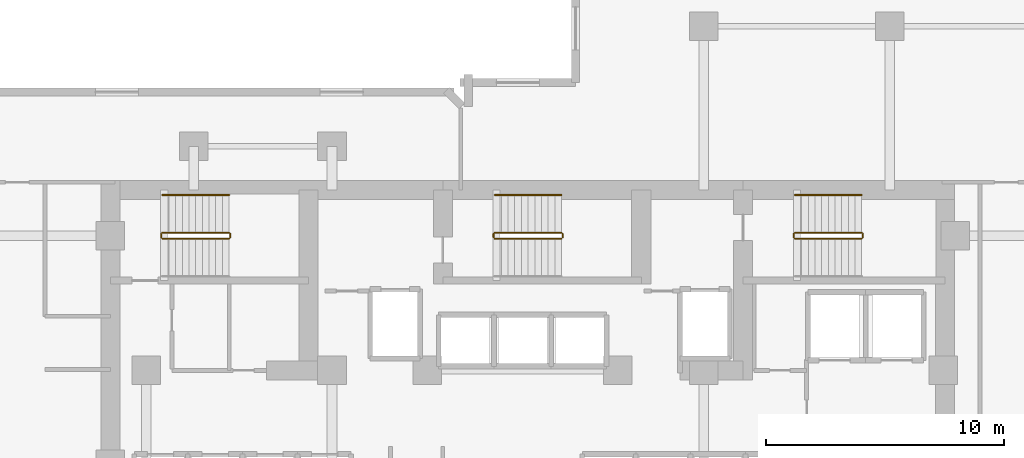
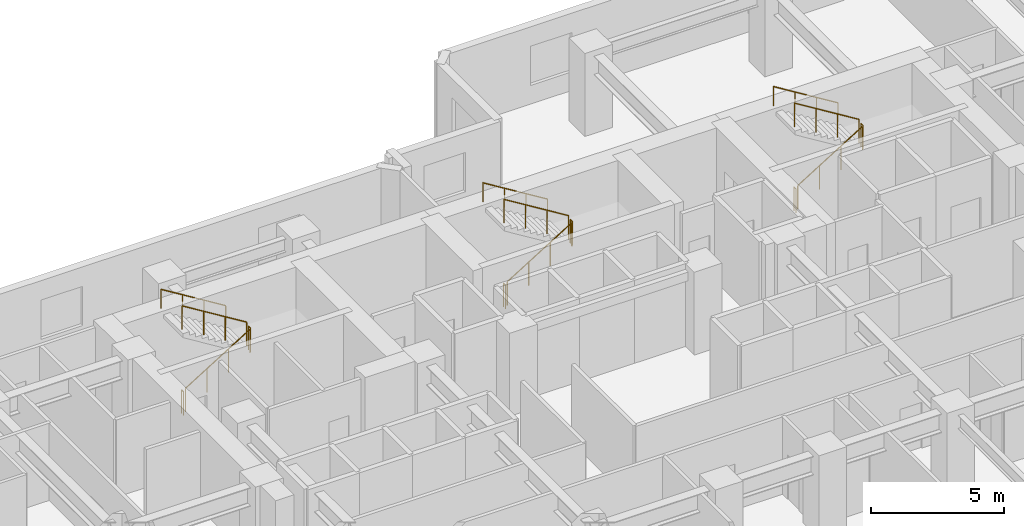
# One storey, part 11 of 11: 15 railings.
"""IFC4 building model written with IfcOpenShell, lengths in metres."""

from ifc_helpers import new_model, si_unit, direction, frame, origin, origin_2d, place, context, subcontext, project, spatial, circle, extrude, material, type_object, element, save


model = new_model("IFC4")

# Units and contexts
model_context = context("Model", 3, precision=1e-05, world=origin(), true_north=direction((0.0, 1.0)))
body_context = subcontext(model_context, "Body", "Model", "MODEL_VIEW")
ifc_project = project(units=[si_unit("LENGTHUNIT", "METRE"), si_unit("AREAUNIT", "SQUARE_METRE"), si_unit("VOLUMEUNIT", "CUBIC_METRE"), si_unit("PLANEANGLEUNIT", "RADIAN"), si_unit("MASSUNIT", "GRAM", prefix="KILO")], contexts=[model_context])

# Site, building, storey
site_placement = place(None, origin())
site = spatial("IfcSite", under=ifc_project, at=site_placement, CompositionType="ELEMENT")
building_placement = place(site_placement, origin())
building = spatial("IfcBuilding", under=site, at=building_placement, Name="Kestravale Grand Hotel", CompositionType="ELEMENT")
storey_placement = place(building_placement, frame((0.0, 0.0, 84.199951171875)))
storey = spatial("IfcBuildingStorey", under=building, at=storey_placement, Name="L20", CompositionType="ELEMENT", Elevation=84.199951171875)

# Railings
ifc_material_1 = material(Name="Painted tubular steel stair well guard", Category="steel")
railing_type_1 = type_object("IfcRailingType", Name="RL-ST-GRD1100", PredefinedType="GUARDRAIL", material=ifc_material_1)
railing_1_placement = place(storey_placement, frame((24.080078125, 38.280029296875, 0.1728515625)))
element("IfcRailing", 1, at=railing_1_placement, inside=storey, type_object=railing_type_1, Name="L20 ST-1 stair guard 1", PredefinedType="GUARDRAIL", context=body_context, shape_type="SweptSolid", body=[
    extrude(circle(Radius=0.02392578125, at=origin_2d()), frame((0.0, 0.0, 1.076171875), z_axis=(0.851069175582, 0.0, 0.525053576669), x_axis=(0.0, 1.0, 0.0)), (0.0, 0.0, 1.0), 3.289794921875),
    extrude(circle(Radius=0.02099609375, at=origin_2d()), origin(), (0.0, 0.0, 1.0), 1.052001953125),
    extrude(circle(Radius=0.02099609375, at=origin_2d()), frame((0.933349609375, 0.0, 0.57568359375)), (0.0, 0.0, 1.0), 1.052001953125),
    extrude(circle(Radius=0.02099609375, at=origin_2d()), frame((1.866455078125, 0.0, 1.151611328125)), (0.0, 0.0, 1.0), 1.052001953125),
    extrude(circle(Radius=0.02099609375, at=origin_2d()), frame((2.7998046875, 0.0, 1.727294921875)), (0.0, 0.0, 1.0), 1.052001953125),
])
railing_2_placement = place(storey_placement, frame((26.929931640625, 38.330078125, 1.900146484375)))
element("IfcRailing", 2, at=railing_2_placement, inside=storey, type_object=railing_type_1, Name="L20 ST-1 stair guard 2", PredefinedType="GUARDRAIL", context=body_context, shape_type="SweptSolid", body=[
    extrude(circle(Radius=0.02392578125, at=origin_2d()), frame((0.0, 0.0, 1.076171875), z_axis=(0.0, 1.0, 0.0), x_axis=(-1.0, 0.0, 0.0)), (0.0, 0.0, 1.0), 0.14990234375),
    extrude(circle(Radius=0.02099609375, at=origin_2d()), origin(), (0.0, 0.0, 1.0), 1.052001953125),
    extrude(circle(Radius=0.02099609375, at=origin_2d()), frame((0.0, 0.14990234375, 0.0)), (0.0, 0.0, 1.0), 1.052001953125),
])
railing_3_placement = place(storey_placement, frame((26.8798828125, 38.530029296875, 2.07275390625)))
element("IfcRailing", 3, at=railing_3_placement, inside=storey, type_object=railing_type_1, Name="L20 ST-1 stair guard 3", PredefinedType="GUARDRAIL", context=body_context, shape_type="SweptSolid", body=[
    extrude(circle(Radius=0.02392578125, at=origin_2d()), frame((0.0, 0.0, 1.076171875), z_axis=(-0.851069175582, 0.0, 0.525053576669), x_axis=(0.0, -1.0, 0.0)), (0.0, 0.0, 1.0), 3.289794921875),
    extrude(circle(Radius=0.02099609375, at=origin_2d()), origin(), (0.0, 0.0, 1.0), 1.052001953125),
    extrude(circle(Radius=0.02099609375, at=origin_2d()), frame((-0.933349609375, 0.0, 0.57568359375)), (0.0, 0.0, 1.0), 1.052001953125),
    extrude(circle(Radius=0.02099609375, at=origin_2d()), frame((-1.866455078125, 0.0, 1.151611328125)), (0.0, 0.0, 1.0), 1.052001953125),
    extrude(circle(Radius=0.02099609375, at=origin_2d()), frame((-2.7998046875, 0.0, 1.727294921875)), (0.0, 0.0, 1.0), 1.052001953125),
])
railing_4_placement = place(storey_placement, frame((24.030029296875, 38.330078125, 0.0)))
element("IfcRailing", 4, at=railing_4_placement, inside=storey, type_object=railing_type_1, Name="L20 ST-1 stair guard 4", PredefinedType="GUARDRAIL", context=body_context, shape_type="SweptSolid", body=[
    extrude(circle(Radius=0.02392578125, at=origin_2d()), frame((0.0, 0.0, 1.076171875), z_axis=(0.0, 1.0, 0.0), x_axis=(-1.0, 0.0, 0.0)), (0.0, 0.0, 1.0), 0.14990234375),
    extrude(circle(Radius=0.02099609375, at=origin_2d()), origin(), (0.0, 0.0, 1.0), 1.052001953125),
    extrude(circle(Radius=0.02099609375, at=origin_2d()), frame((0.0, 0.14990234375, 0.0)), (0.0, 0.0, 1.0), 1.052001953125),
])
railing_5_placement = place(storey_placement, frame((38.030029296875, 38.280029296875, 0.1728515625)))
element("IfcRailing", 5, at=railing_5_placement, inside=storey, type_object=railing_type_1, Name="L20 ST-2 stair guard 1", PredefinedType="GUARDRAIL", context=body_context, shape_type="SweptSolid", body=[
    extrude(circle(Radius=0.02392578125, at=origin_2d()), frame((0.0, 0.0, 1.076171875), z_axis=(0.851089632645, 0.0, 0.525020415988), x_axis=(0.0, 1.0, 0.0)), (0.0, 0.0, 1.0), 3.2900390625),
    extrude(circle(Radius=0.02099609375, at=origin_2d()), origin(), (0.0, 0.0, 1.0), 1.052001953125),
    extrude(circle(Radius=0.02099609375, at=origin_2d()), frame((0.933349609375, 0.0, 0.57568359375)), (0.0, 0.0, 1.0), 1.052001953125),
    extrude(circle(Radius=0.02099609375, at=origin_2d()), frame((1.86669921875, 0.0, 1.151611328125)), (0.0, 0.0, 1.0), 1.052001953125),
    extrude(circle(Radius=0.02099609375, at=origin_2d()), frame((2.800048828125, 0.0, 1.727294921875)), (0.0, 0.0, 1.0), 1.052001953125),
])
railing_6_placement = place(storey_placement, frame((40.8798828125, 38.330078125, 1.900146484375)))
element("IfcRailing", 6, at=railing_6_placement, inside=storey, type_object=railing_type_1, Name="L20 ST-2 stair guard 2", PredefinedType="GUARDRAIL", context=body_context, shape_type="SweptSolid", body=[
    extrude(circle(Radius=0.02392578125, at=origin_2d()), frame((0.0, 0.0, 1.076171875), z_axis=(0.0, 1.0, 0.0), x_axis=(-1.0, 0.0, 0.0)), (0.0, 0.0, 1.0), 0.14990234375),
    extrude(circle(Radius=0.02099609375, at=origin_2d()), origin(), (0.0, 0.0, 1.0), 1.052001953125),
    extrude(circle(Radius=0.02099609375, at=origin_2d()), frame((0.0, 0.14990234375, 0.0)), (0.0, 0.0, 1.0), 1.052001953125),
])
railing_7_placement = place(storey_placement, frame((40.830078125, 38.530029296875, 2.07275390625)))
element("IfcRailing", 7, at=railing_7_placement, inside=storey, type_object=railing_type_1, Name="L20 ST-2 stair guard 3", PredefinedType="GUARDRAIL", context=body_context, shape_type="SweptSolid", body=[
    extrude(circle(Radius=0.02392578125, at=origin_2d()), frame((0.0, 0.0, 1.076171875), z_axis=(-0.851089632645, 0.0, 0.525020415988), x_axis=(0.0, -1.0, 0.0)), (0.0, 0.0, 1.0), 3.2900390625),
    extrude(circle(Radius=0.02099609375, at=origin_2d()), origin(), (0.0, 0.0, 1.0), 1.052001953125),
    extrude(circle(Radius=0.02099609375, at=origin_2d()), frame((-0.933349609375, 0.0, 0.57568359375)), (0.0, 0.0, 1.0), 1.052001953125),
    extrude(circle(Radius=0.02099609375, at=origin_2d()), frame((-1.86669921875, 0.0, 1.151611328125)), (0.0, 0.0, 1.0), 1.052001953125),
    extrude(circle(Radius=0.02099609375, at=origin_2d()), frame((-2.800048828125, 0.0, 1.727294921875)), (0.0, 0.0, 1.0), 1.052001953125),
])
railing_8_placement = place(storey_placement, frame((37.97998046875, 38.330078125, 0.0)))
element("IfcRailing", 8, at=railing_8_placement, inside=storey, type_object=railing_type_1, Name="L20 ST-2 stair guard 4", PredefinedType="GUARDRAIL", context=body_context, shape_type="SweptSolid", body=[
    extrude(circle(Radius=0.02392578125, at=origin_2d()), frame((0.0, 0.0, 1.076171875), z_axis=(0.0, 1.0, 0.0), x_axis=(-1.0, 0.0, 0.0)), (0.0, 0.0, 1.0), 0.14990234375),
    extrude(circle(Radius=0.02099609375, at=origin_2d()), origin(), (0.0, 0.0, 1.0), 1.052001953125),
    extrude(circle(Radius=0.02099609375, at=origin_2d()), frame((0.0, 0.14990234375, 0.0)), (0.0, 0.0, 1.0), 1.052001953125),
])
railing_9_placement = place(storey_placement, frame((50.6298828125, 38.280029296875, 0.1728515625)))
element("IfcRailing", 9, at=railing_9_placement, inside=storey, type_object=railing_type_1, Name="L20 ST-3 stair guard 1", PredefinedType="GUARDRAIL", context=body_context, shape_type="SweptSolid", body=[
    extrude(circle(Radius=0.02392578125, at=origin_2d()), frame((0.0, 0.0, 1.076171875), z_axis=(0.851089632645, 0.0, 0.525020415988), x_axis=(0.0, 1.0, 0.0)), (0.0, 0.0, 1.0), 3.2900390625),
    extrude(circle(Radius=0.02099609375, at=origin_2d()), origin(), (0.0, 0.0, 1.0), 1.052001953125),
    extrude(circle(Radius=0.02099609375, at=origin_2d()), frame((0.933349609375, 0.0, 0.57568359375)), (0.0, 0.0, 1.0), 1.052001953125),
    extrude(circle(Radius=0.02099609375, at=origin_2d()), frame((1.86669921875, 0.0, 1.151611328125)), (0.0, 0.0, 1.0), 1.052001953125),
    extrude(circle(Radius=0.02099609375, at=origin_2d()), frame((2.800048828125, 0.0, 1.727294921875)), (0.0, 0.0, 1.0), 1.052001953125),
])
railing_10_placement = place(storey_placement, frame((53.47998046875, 38.330078125, 1.900146484375)))
element("IfcRailing", 10, at=railing_10_placement, inside=storey, type_object=railing_type_1, Name="L20 ST-3 stair guard 2", PredefinedType="GUARDRAIL", context=body_context, shape_type="SweptSolid", body=[
    extrude(circle(Radius=0.02392578125, at=origin_2d()), frame((0.0, 0.0, 1.076171875), z_axis=(0.0, 1.0, 0.0), x_axis=(-1.0, 0.0, 0.0)), (0.0, 0.0, 1.0), 0.14990234375),
    extrude(circle(Radius=0.02099609375, at=origin_2d()), origin(), (0.0, 0.0, 1.0), 1.052001953125),
    extrude(circle(Radius=0.02099609375, at=origin_2d()), frame((0.0, 0.14990234375, 0.0)), (0.0, 0.0, 1.0), 1.052001953125),
])
railing_11_placement = place(storey_placement, frame((53.429931640625, 38.530029296875, 2.07275390625)))
element("IfcRailing", 11, at=railing_11_placement, inside=storey, type_object=railing_type_1, Name="L20 ST-3 stair guard 3", PredefinedType="GUARDRAIL", context=body_context, shape_type="SweptSolid", body=[
    extrude(circle(Radius=0.02392578125, at=origin_2d()), frame((0.0, 0.0, 1.076171875), z_axis=(-0.851089632645, 0.0, 0.525020415988), x_axis=(0.0, -1.0, 0.0)), (0.0, 0.0, 1.0), 3.2900390625),
    extrude(circle(Radius=0.02099609375, at=origin_2d()), origin(), (0.0, 0.0, 1.0), 1.052001953125),
    extrude(circle(Radius=0.02099609375, at=origin_2d()), frame((-0.933349609375, 0.0, 0.57568359375)), (0.0, 0.0, 1.0), 1.052001953125),
    extrude(circle(Radius=0.02099609375, at=origin_2d()), frame((-1.86669921875, 0.0, 1.151611328125)), (0.0, 0.0, 1.0), 1.052001953125),
    extrude(circle(Radius=0.02099609375, at=origin_2d()), frame((-2.800048828125, 0.0, 1.727294921875)), (0.0, 0.0, 1.0), 1.052001953125),
])
railing_12_placement = place(storey_placement, frame((50.580078125, 38.330078125, 0.0)))
element("IfcRailing", 12, at=railing_12_placement, inside=storey, type_object=railing_type_1, Name="L20 ST-3 stair guard 4", PredefinedType="GUARDRAIL", context=body_context, shape_type="SweptSolid", body=[
    extrude(circle(Radius=0.02392578125, at=origin_2d()), frame((0.0, 0.0, 1.076171875), z_axis=(0.0, 1.0, 0.0), x_axis=(-1.0, 0.0, 0.0)), (0.0, 0.0, 1.0), 0.14990234375),
    extrude(circle(Radius=0.02099609375, at=origin_2d()), origin(), (0.0, 0.0, 1.0), 1.052001953125),
    extrude(circle(Radius=0.02099609375, at=origin_2d()), frame((0.0, 0.14990234375, 0.0)), (0.0, 0.0, 1.0), 1.052001953125),
])
ifc_material_2 = material(Name="Brushed stainless steel wall handrail", Category="steel")
railing_type_2 = type_object("IfcRailingType", Name="RL-ST-HND900", PredefinedType="HANDRAIL", material=ifc_material_2)
railing_13_placement = place(storey_placement, frame((26.8798828125, 40.110107421875, 2.07275390625)))
element("IfcRailing", 13, at=railing_13_placement, inside=storey, type_object=railing_type_2, Name="L20 ST-1 stair handrail 2", PredefinedType="HANDRAIL", context=body_context, shape_type="SweptSolid", body=[
    extrude(circle(Radius=0.02392578125, at=origin_2d()), frame((0.0, 0.0, 0.8759765625), z_axis=(-0.851069175582, 0.0, 0.525053576669), x_axis=(0.0, -1.0, 0.0)), (0.0, 0.0, 1.0), 3.289794921875),
    extrude(circle(Radius=0.02099609375, at=origin_2d()), origin(), (0.0, 0.0, 1.0), 0.851806640625),
    extrude(circle(Radius=0.02099609375, at=origin_2d()), frame((-0.933349609375, 0.0, 0.57568359375)), (0.0, 0.0, 1.0), 0.851806640625),
    extrude(circle(Radius=0.02099609375, at=origin_2d()), frame((-1.866455078125, 0.0, 1.151611328125)), (0.0, 0.0, 1.0), 0.851806640625),
    extrude(circle(Radius=0.02099609375, at=origin_2d()), frame((-2.7998046875, 0.0, 1.727294921875)), (0.0, 0.0, 1.0), 0.851806640625),
])
for number, where, name in (
    (14, (40.830078125, 40.110107421875, 2.07275390625), "L20 ST-2 stair handrail 2"),
    (15, (53.429931640625, 40.110107421875, 2.07275390625), "L20 ST-3 stair handrail 2"),
):
    element("IfcRailing", number, at=place(storey_placement, frame(where)), inside=storey, type_object=railing_type_2, Name=name, PredefinedType="HANDRAIL", context=body_context, shape_type="SweptSolid", body=[
        extrude(circle(Radius=0.02392578125, at=origin_2d()), frame((0.0, 0.0, 0.8759765625), z_axis=(-0.851089632645, 0.0, 0.525020415988), x_axis=(0.0, -1.0, 0.0)), (0.0, 0.0, 1.0), 3.2900390625),
        extrude(circle(Radius=0.02099609375, at=origin_2d()), origin(), (0.0, 0.0, 1.0), 0.851806640625),
        extrude(circle(Radius=0.02099609375, at=origin_2d()), frame((-0.933349609375, 0.0, 0.57568359375)), (0.0, 0.0, 1.0), 0.851806640625),
        extrude(circle(Radius=0.02099609375, at=origin_2d()), frame((-1.86669921875, 0.0, 1.151611328125)), (0.0, 0.0, 1.0), 0.851806640625),
        extrude(circle(Radius=0.02099609375, at=origin_2d()), frame((-2.800048828125, 0.0, 1.727294921875)), (0.0, 0.0, 1.0), 0.851806640625),
    ])

save(model, "model.ifc")
